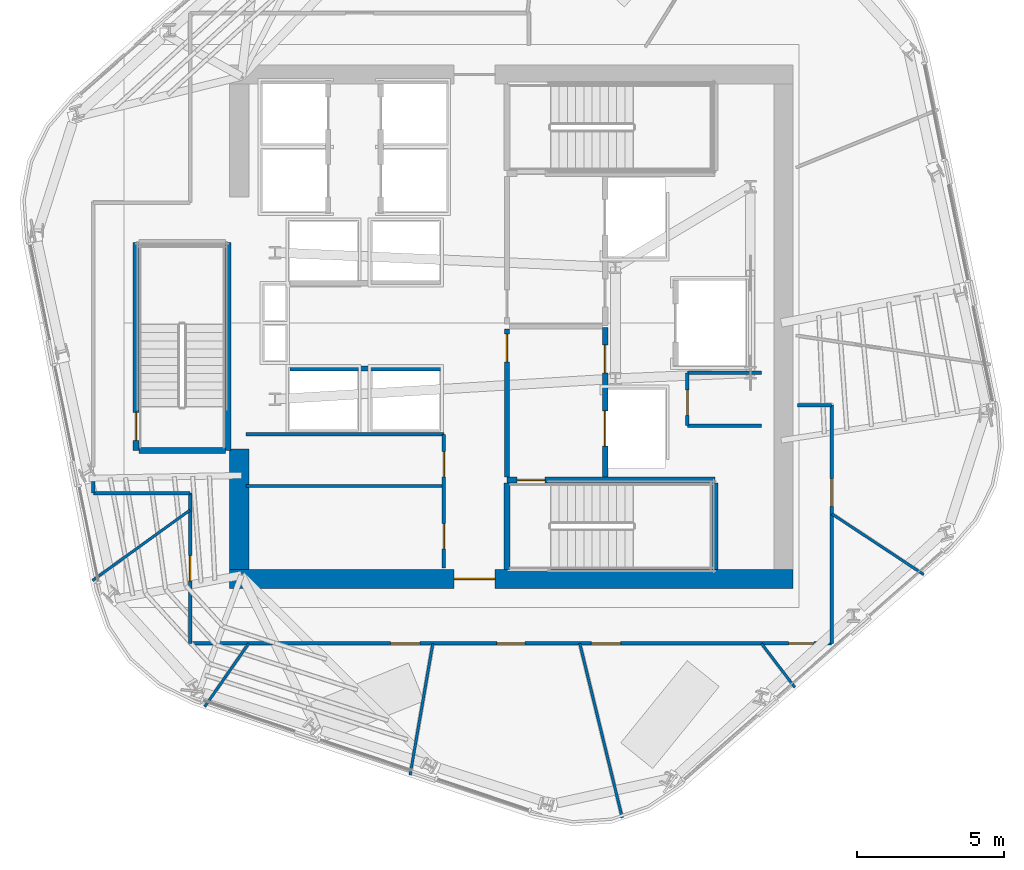
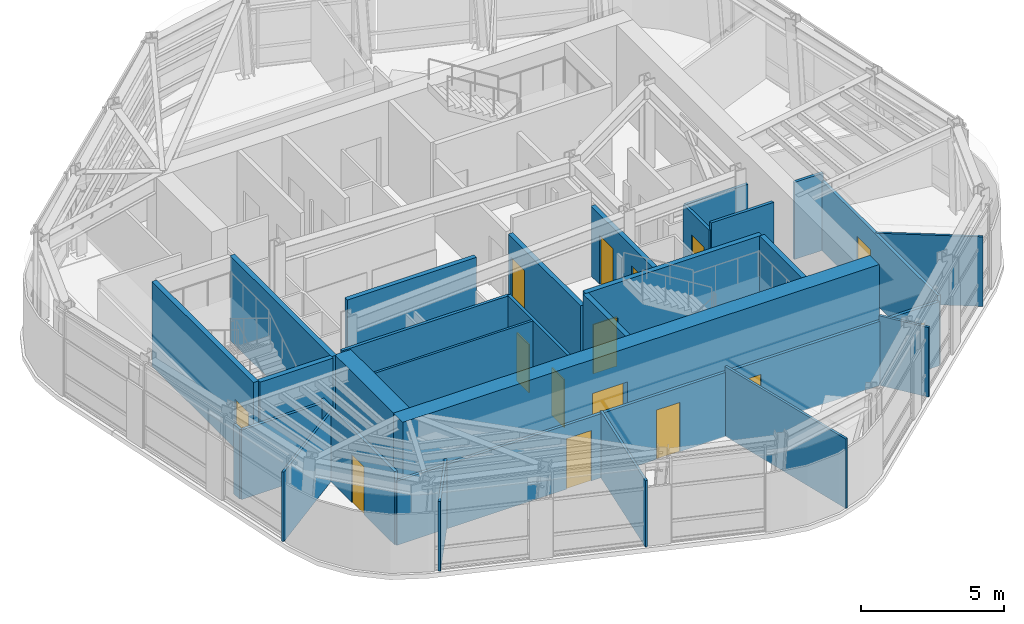
# One storey, part 8 of 15: 29 walls, 15 doors, 15 openings.
"""IFC4 building model written with IfcOpenShell, lengths in metres."""

from ifc_helpers import new_model, si_unit, direction, frame, frame_2d, origin, place, context, subcontext, project, spatial, rectangle, extrude, material, layer, layer_set, type_object, element, fill, save


model = new_model("IFC4")

# Units and contexts
model_context = context("Model", 3, precision=1e-05, world=origin(), true_north=direction((0.0, 1.0)))
body_context = subcontext(model_context, "Body", "Model", "MODEL_VIEW")
ifc_project = project(units=[si_unit("LENGTHUNIT", "METRE"), si_unit("AREAUNIT", "SQUARE_METRE"), si_unit("VOLUMEUNIT", "CUBIC_METRE"), si_unit("PLANEANGLEUNIT", "RADIAN"), si_unit("MASSUNIT", "GRAM", prefix="KILO")], contexts=[model_context])

# Site, building, storey
site_placement = place(None, origin())
site = spatial("IfcSite", under=ifc_project, at=site_placement, CompositionType="ELEMENT")
building_placement = place(site_placement, origin())
building = spatial("IfcBuilding", under=site, at=building_placement, Name="Valkerne Bourse Tower", CompositionType="ELEMENT")
storey_placement = place(building_placement, frame((0.0, 0.0, 201.800048828125)))
storey = spatial("IfcBuildingStorey", under=building, at=storey_placement, Name="L51", CompositionType="ELEMENT", Elevation=201.800048828125)

# Wall, opening, door
ifc_material_1 = material(Name="Concrete C55/67", Category="concrete")
ifc_layer_1 = layer(ifc_material_1, 0.64990234375)
ifc_layer_set_1 = layer_set([ifc_layer_1], Name="Concrete C55/67")
wall_type_1 = type_object("IfcWallType", Name="W-CORE-650", PredefinedType="SHEAR", material=ifc_layer_set_1)
wall_1_placement = place(storey_placement, frame((37.199951171875, 18.27490234375, 0.0), z_axis=(0.0, 0.0, 1.0), x_axis=(1.0, 0.0, 0.0)))
wall_1 = element("IfcWall", 1, at=wall_1_placement, inside=storey, type_object=wall_type_1, Name="L51 Core Shear Wall SOUTH", PredefinedType="SHEAR", context=body_context, shape_type="SweptSolid", body=[
    extrude(rectangle(XDim=19.199951171875, YDim=0.64990234375, at=frame_2d((9.60009765625, 0.0))), origin(), (0.0, 0.0, 1.0), 3.599853515625),
])
opening_1_placement = place(wall_1_placement, frame((7.64990234375, 0.0, 0.0)))
opening_1 = element("IfcOpeningElement", 2, at=opening_1_placement, cuts=wall_1, Name="Opening D-PL-1400", PredefinedType="OPENING", context=body_context, shape_type="SweptSolid", body=[
    extrude(rectangle(XDim=1.39990234375, YDim=2.14990234375, at=frame_2d((0.699951171875, 1.074951171875))), frame((0.0, 0.3349609375, 0.0), z_axis=(0.0, -1.0, 0.0), x_axis=(1.0, 0.0, 0.0)), (0.0, 0.0, 1.0), 0.669921875),
])
ifc_material_2 = material(Name="Galvanised Painted Steel", Category="steel")
door_type_1 = type_object("IfcDoorType", Name="DR-PLT-1400", OperationType="DOUBLE_DOOR_SINGLE_SWING", PredefinedType="DOOR", material=ifc_material_2)
door_1_placement = place(opening_1_placement, origin())
door_1 = element("IfcDoor", 3, at=door_1_placement, inside=storey, type_object=door_type_1, Name="L51 South Passenger Lift Hall Fire Door", OperationType="DOUBLE_DOOR_SINGLE_SWING", OverallHeight=2.14990234375, OverallWidth=1.39990234375, PredefinedType="DOOR", context=body_context, shape_type="SweptSolid", body=[
    extrude(rectangle(XDim=1.39990234375, YDim=2.14990234375, at=frame_2d((0.699951171875, 1.074951171875))), frame((0.0, 0.02490234375, 0.0), z_axis=(0.0, -1.0, 0.0), x_axis=(1.0, 0.0, 0.0)), (0.0, 0.0, 1.0), 0.050048828125),
])
fill(opening_1, door_1)

# Wall
wall_2_placement = place(storey_placement, frame((37.52490234375, 18.60009765625, 0.0), z_axis=(0.0, 0.0, 1.0), x_axis=(0.0, 1.0, 0.0)))
element("IfcWall", 4, at=wall_2_placement, inside=storey, type_object=wall_type_1, Name="L51 Core Shear Wall WEST-S", PredefinedType="SHEAR", context=body_context, shape_type="SweptSolid", body=[
    extrude(rectangle(XDim=4.099853515625, YDim=0.64990234375, at=frame_2d((2.0498046875, 0.0))), origin(), (0.0, 0.0, 1.0), 3.599853515625),
])

# Wall, openings, doors
ifc_material_3 = material(Name="Gypsum Board Steel-Stud Partition", Category="steel")
ifc_layer_2 = layer(ifc_material_3, 0.117919921875)
ifc_layer_set_2 = layer_set([ifc_layer_2], Name="Gypsum Board Steel-Stud Partition")
wall_type_2 = type_object("IfcWallType", Name="W-CORR-140", PredefinedType="PARTITIONING", material=ifc_layer_set_2)
wall_3_placement = place(storey_placement, frame((44.5, 18.64990234375, 0.0), z_axis=(0.0, 0.0, 1.0), x_axis=(0.0, 1.0, 0.0)))
wall_3 = element("IfcWall", 5, at=wall_3_placement, inside=storey, type_object=wall_type_2, Name="L51 LV7 Low-Bank East Wall", PredefinedType="PARTITIONING", context=body_context, shape_type="SweptSolid", body=[
    extrude(rectangle(XDim=4.550048828125, YDim=0.117919921875, at=frame_2d((2.27490234375, 0.0))), origin(), (0.0, 0.0, 1.0), 3.300048828125),
])
opening_2_placement = place(wall_3_placement, frame((0.64990234375, 0.0, 0.0)))
opening_2 = element("IfcOpeningElement", 6, at=opening_2_placement, cuts=wall_3, Name="Opening D-WC-900", PredefinedType="OPENING", context=body_context, shape_type="SweptSolid", body=[
    extrude(rectangle(XDim=0.860107421875, YDim=2.050048828125, at=frame_2d((0.43017578125, 1.02490234375))), frame((0.0, 0.06884765625, 0.0), z_axis=(0.0, -1.0, 0.0), x_axis=(1.0, 0.0, 0.0)), (0.0, 0.0, 1.0), 0.137939453125),
])
opening_3_placement = place(wall_3_placement, frame((3.10009765625, 0.0, 0.0)))
opening_3 = element("IfcOpeningElement", 7, at=opening_3_placement, cuts=wall_3, Name="Opening D-WC-900", PredefinedType="OPENING", context=body_context, shape_type="SweptSolid", body=[
    extrude(rectangle(XDim=0.860107421875, YDim=2.050048828125, at=frame_2d((0.43017578125, 1.02490234375))), frame((0.0, 0.06884765625, 0.0), z_axis=(0.0, -1.0, 0.0), x_axis=(1.0, 0.0, 0.0)), (0.0, 0.0, 1.0), 0.137939453125),
])
ifc_material_4 = material(Name="Architectural White Oak Timber", Category="wood")
door_type_2 = type_object("IfcDoorType", Name="DR-WC-900", OperationType="NOTDEFINED", PredefinedType="DOOR", material=ifc_material_4)
door_2_placement = place(opening_2_placement, origin())
door_2 = element("IfcDoor", 8, at=door_2_placement, inside=storey, type_object=door_type_2, Name="L51 Reprographics Office Door", OperationType="SINGLE_SWING_RIGHT", OverallHeight=2.050048828125, OverallWidth=0.860107421875, PredefinedType="DOOR", context=body_context, shape_type="SweptSolid", body=[
    extrude(rectangle(XDim=0.860107421875, YDim=2.050048828125, at=frame_2d((0.43017578125, 1.02490234375))), frame((0.0, 0.02490234375, 0.0), z_axis=(0.0, -1.0, 0.0), x_axis=(1.0, 0.0, 0.0)), (0.0, 0.0, 1.0), 0.050048828125),
])
fill(opening_2, door_2)
door_3_placement = place(opening_3_placement, origin())
door_3 = element("IfcDoor", 9, at=door_3_placement, inside=storey, type_object=door_type_2, Name="L51 First Aid Clinic Door", OperationType="SINGLE_SWING_RIGHT", OverallHeight=2.050048828125, OverallWidth=0.860107421875, PredefinedType="DOOR", context=body_context, shape_type="SweptSolid", body=[
    extrude(rectangle(XDim=0.860107421875, YDim=2.050048828125, at=frame_2d((0.43017578125, 1.02490234375))), frame((0.0, 0.02490234375, 0.0), z_axis=(0.0, -1.0, 0.0), x_axis=(1.0, 0.0, 0.0)), (0.0, 0.0, 1.0), 0.050048828125),
])
fill(opening_3, door_3)

# Wall
wall_4_placement = place(storey_placement, frame((37.75, 23.199951171875, 0.0), z_axis=(0.0, 0.0, 1.0), x_axis=(1.0, 0.0, 0.0)))
element("IfcWall", 10, at=wall_4_placement, inside=storey, type_object=wall_type_2, Name="L51 LV7 Low-Bank North Wall", PredefinedType="PARTITIONING", context=body_context, shape_type="SweptSolid", body=[
    extrude(rectangle(XDim=6.75, YDim=0.117919921875, at=frame_2d((3.375, 0.0))), origin(), (0.0, 0.0, 1.0), 3.300048828125),
])

# Wall, opening, door
wall_5_placement = place(storey_placement, frame((52.800048828125, 23.5, 0.0), z_axis=(0.0, 0.0, 1.0), x_axis=(0.0, 1.0, 0.0)))
wall_5 = element("IfcWall", 11, at=wall_5_placement, inside=storey, type_object=wall_type_2, Name="L51 Core SE North-Bay West Wall", PredefinedType="PARTITIONING", context=body_context, shape_type="SweptSolid", body=[
    extrude(rectangle(XDim=1.800048828125, YDim=0.117919921875, at=frame_2d((0.89990234375, 0.0))), origin(), (0.0, 0.0, 1.0), 2.97802734375),
])
opening_4_placement = place(wall_5_placement, frame((0.35009765625, 0.0, 0.0)))
opening_4 = element("IfcOpeningElement", 12, at=opening_4_placement, cuts=wall_5, Name="Opening D-WC-900", PredefinedType="OPENING", context=body_context, shape_type="SweptSolid", body=[
    extrude(rectangle(XDim=0.860107421875, YDim=2.050048828125, at=frame_2d((0.43017578125, 1.02490234375))), frame((0.0, 0.06884765625, 0.0), z_axis=(0.0, -1.0, 0.0), x_axis=(1.0, 0.0, 0.0)), (0.0, 0.0, 1.0), 0.137939453125),
])
door_4_placement = place(opening_4_placement, origin())
door_4 = element("IfcDoor", 13, at=door_4_placement, inside=storey, type_object=door_type_2, Name="L51 Telecom Closet Door", OperationType="SINGLE_SWING_LEFT", OverallHeight=2.050048828125, OverallWidth=0.860107421875, PredefinedType="DOOR", context=body_context, shape_type="SweptSolid", body=[
    extrude(rectangle(XDim=0.860107421875, YDim=2.050048828125, at=frame_2d((0.43017578125, 1.02490234375))), frame((0.0, 0.02490234375, 0.0), z_axis=(0.0, -1.0, 0.0), x_axis=(1.0, 0.0, 0.0)), (0.0, 0.0, 1.0), 0.050048828125),
])
fill(opening_4, door_4)

# Walls
wall_6_placement = place(storey_placement, frame((52.800048828125, 23.5, 0.0), z_axis=(0.0, 0.0, 1.0), x_axis=(1.0, 0.0, 0.0)))
element("IfcWall", 14, at=wall_6_placement, inside=storey, type_object=wall_type_2, Name="L51 Core SE North-Bay South Wall", PredefinedType="PARTITIONING", context=body_context, shape_type="SweptSolid", body=[
    extrude(rectangle(XDim=2.52001953125, YDim=0.117919921875, at=frame_2d((1.260009765625, 0.0))), origin(), (0.0, 0.0, 1.0), 3.300048828125),
])
wall_7_placement = place(storey_placement, frame((52.800048828125, 25.300048828125, 0.0), z_axis=(0.0, 0.0, 1.0), x_axis=(1.0, 0.0, 0.0)))
element("IfcWall", 15, at=wall_7_placement, inside=storey, type_object=wall_type_2, Name="L51 Core SE North-Bay North Wall", PredefinedType="PARTITIONING", context=body_context, shape_type="SweptSolid", body=[
    extrude(rectangle(XDim=2.52001953125, YDim=0.117919921875, at=frame_2d((1.260009765625, 0.0))), origin(), (0.0, 0.0, 1.0), 2.97802734375),
])

# Wall, opening, door
wall_8_placement = place(storey_placement, frame((35.85009765625, 16.080078125, 0.0), z_axis=(0.0, 0.0, 1.0), x_axis=(0.0, 1.0, 0.0)))
wall_8 = element("IfcWall", 16, at=wall_8_placement, inside=storey, type_object=wall_type_2, Name="L51 Corridor Enclosure Wall", PredefinedType="PARTITIONING", context=body_context, shape_type="SweptSolid", body=[
    extrude(rectangle(XDim=5.119873046875, YDim=0.117919921875, at=frame_2d((2.56005859375, 0.0))), origin(), (0.0, 0.0, 1.0), 3.12744140625),
])
opening_5_placement = place(wall_8_placement, frame((2.1298828125, 0.0, 0.0)))
opening_5 = element("IfcOpeningElement", 17, at=opening_5_placement, cuts=wall_8, Name="Opening D-WC-900", PredefinedType="OPENING", context=body_context, shape_type="SweptSolid", body=[
    extrude(rectangle(XDim=0.860107421875, YDim=2.050048828125, at=frame_2d((0.43017578125, 1.02490234375))), frame((0.0, 0.06884765625, 0.0), z_axis=(0.0, -1.0, 0.0), x_axis=(1.0, 0.0, 0.0)), (0.0, 0.0, 1.0), 0.137939453125),
])
door_5_placement = place(opening_5_placement, origin())
door_5 = element("IfcDoor", 18, at=door_5_placement, inside=storey, type_object=door_type_2, Name="L51 L51 Women Restroom & Shower WC 2 Door", OperationType="SINGLE_SWING_LEFT", OverallHeight=2.050048828125, OverallWidth=0.860107421875, PredefinedType="DOOR", context=body_context, shape_type="SweptSolid", body=[
    extrude(rectangle(XDim=0.860107421875, YDim=2.050048828125, at=frame_2d((0.43017578125, 1.02490234375))), frame((0.0, 0.02490234375, 0.0), z_axis=(0.0, -1.0, 0.0), x_axis=(1.0, 0.0, 0.0)), (0.0, 0.0, 1.0), 0.050048828125),
])
fill(opening_5, door_5)

# Walls
wall_9_placement = place(storey_placement, frame((35.85009765625, 21.199951171875, 0.0), z_axis=(0.0, 0.0, 1.0), x_axis=(-1.0, 0.0, 0.0)))
element("IfcWall", 19, at=wall_9_placement, inside=storey, type_object=wall_type_2, Name="L51 Corridor Enclosure Wall", PredefinedType="PARTITIONING", context=body_context, shape_type="SweptSolid", body=[
    extrude(rectangle(XDim=3.300048828125, YDim=0.117919921875, at=frame_2d((1.64990234375, 0.0))), origin(), (0.0, 0.0, 1.0), 2.962646484375),
])
wall_10_placement = place(storey_placement, frame((32.550048828125, 21.199951171875, 0.0), z_axis=(0.0, 0.0, 1.0), x_axis=(0.0, 1.0, 0.0)))
element("IfcWall", 20, at=wall_10_placement, inside=storey, type_object=wall_type_2, Name="L51 Corridor Enclosure Wall", PredefinedType="PARTITIONING", context=body_context, shape_type="SweptSolid", body=[
    extrude(rectangle(XDim=0.399658203125, YDim=0.117919921875, at=frame_2d((0.19970703125, 0.0))), origin(), (0.0, 0.0, 1.0), 2.962646484375),
])
wall_11_placement = place(storey_placement, frame((56.56005859375, 24.199951171875, 0.0), z_axis=(0.0, 0.0, 1.0), x_axis=(1.0, 0.0, 0.0)))
element("IfcWall", 21, at=wall_11_placement, inside=storey, type_object=wall_type_2, Name="L51 Corridor Enclosure Wall", PredefinedType="PARTITIONING", context=body_context, shape_type="SweptSolid", body=[
    extrude(rectangle(XDim=1.159912109375, YDim=0.117919921875, at=frame_2d((0.580078125, 0.0))), origin(), (0.0, 0.0, 1.0), 3.280029296875),
])

# Wall, opening, door
wall_12_placement = place(storey_placement, frame((57.719970703125, 24.199951171875, 0.0), z_axis=(0.0, 0.0, 1.0), x_axis=(0.0, -1.0, 0.0)))
wall_12 = element("IfcWall", 22, at=wall_12_placement, inside=storey, type_object=wall_type_2, Name="L51 Corridor Enclosure Wall", PredefinedType="PARTITIONING", context=body_context, shape_type="SweptSolid", body=[
    extrude(rectangle(XDim=8.119873046875, YDim=0.117919921875, at=frame_2d((4.06005859375, 0.0))), origin(), (0.0, 0.0, 1.0), 2.962646484375),
])
opening_6_placement = place(wall_12_placement, frame((2.5048828125, 0.0, 0.0)))
opening_6 = element("IfcOpeningElement", 23, at=opening_6_placement, cuts=wall_12, Name="Opening D-OF-950", PredefinedType="OPENING", context=body_context, shape_type="SweptSolid", body=[
    extrude(rectangle(XDim=0.949951171875, YDim=2.10009765625, at=frame_2d((0.47509765625, 1.050048828125))), frame((0.0, 0.06884765625, 0.0), z_axis=(0.0, -1.0, 0.0), x_axis=(1.0, 0.0, 0.0)), (0.0, 0.0, 1.0), 0.137939453125),
])
door_type_3 = type_object("IfcDoorType", Name="DR-OFF-950", OperationType="NOTDEFINED", PredefinedType="DOOR", material=ifc_material_4)
door_6_placement = place(opening_6_placement, origin())
door_6 = element("IfcDoor", 24, at=door_6_placement, inside=storey, type_object=door_type_3, Name="L51 L51 Occupational Wellness Clinic 6 Door", OperationType="SINGLE_SWING_LEFT", OverallHeight=2.10009765625, OverallWidth=0.949951171875, PredefinedType="DOOR", context=body_context, shape_type="SweptSolid", body=[
    extrude(rectangle(XDim=0.949951171875, YDim=2.10009765625, at=frame_2d((0.47509765625, 1.050048828125))), frame((0.0, 0.02490234375, 0.0), z_axis=(0.0, -1.0, 0.0), x_axis=(1.0, 0.0, 0.0)), (0.0, 0.0, 1.0), 0.050048828125),
])
fill(opening_6, door_6)

# Wall, openings, doors
wall_13_placement = place(storey_placement, frame((57.719970703125, 16.080078125, 0.0), z_axis=(0.0, 0.0, 1.0), x_axis=(-1.0, 0.0, 0.0)))
wall_13 = element("IfcWall", 25, at=wall_13_placement, inside=storey, type_object=wall_type_2, Name="L51 Corridor Enclosure Wall", PredefinedType="PARTITIONING", context=body_context, shape_type="SweptSolid", body=[
    extrude(rectangle(XDim=21.869873046875, YDim=0.117919921875, at=frame_2d((10.93505859375, 0.0))), origin(), (0.0, 0.0, 1.0), 2.7314453125),
])
opening_7_placement = place(wall_13_placement, frame((0.60498046875, 0.0, 0.0)))
opening_7 = element("IfcOpeningElement", 26, at=opening_7_placement, cuts=wall_13, Name="Opening D-WC-900", PredefinedType="OPENING", context=body_context, shape_type="SweptSolid", body=[
    extrude(rectangle(XDim=0.860107421875, YDim=2.050048828125, at=frame_2d((0.43017578125, 1.02490234375))), frame((0.0, 0.06884765625, 0.0), z_axis=(0.0, -1.0, 0.0), x_axis=(1.0, 0.0, 0.0)), (0.0, 0.0, 1.0), 0.137939453125),
])
opening_8_placement = place(wall_13_placement, frame((14.034912109375, 0.0, 0.0)))
opening_8 = element("IfcOpeningElement", 27, at=opening_8_placement, cuts=wall_13, Name="Opening D-MG-1000", PredefinedType="OPENING", context=body_context, shape_type="SweptSolid", body=[
    extrude(rectangle(XDim=1.0, YDim=2.14990234375, at=frame_2d((0.5, 1.074951171875))), frame((0.0, 0.06884765625, 0.0), z_axis=(0.0, -1.0, 0.0), x_axis=(1.0, 0.0, 0.0)), (0.0, 0.0, 1.0), 0.137939453125),
])
opening_9_placement = place(wall_13_placement, frame((7.195068359375, 0.0, 0.0)))
opening_9 = element("IfcOpeningElement", 28, at=opening_9_placement, cuts=wall_13, Name="Opening D-MG-1000", PredefinedType="OPENING", context=body_context, shape_type="SweptSolid", body=[
    extrude(rectangle(XDim=1.0, YDim=2.14990234375, at=frame_2d((0.5, 1.074951171875))), frame((0.0, 0.06884765625, 0.0), z_axis=(0.0, -1.0, 0.0), x_axis=(1.0, 0.0, 0.0)), (0.0, 0.0, 1.0), 0.137939453125),
])
opening_10_placement = place(wall_13_placement, frame((10.4599609375, 0.0, 0.0)))
opening_10 = element("IfcOpeningElement", 29, at=opening_10_placement, cuts=wall_13, Name="Opening D-OF-950", PredefinedType="OPENING", context=body_context, shape_type="SweptSolid", body=[
    extrude(rectangle(XDim=0.949951171875, YDim=2.10009765625, at=frame_2d((0.47509765625, 1.050048828125))), frame((0.0, 0.06884765625, 0.0), z_axis=(0.0, -1.0, 0.0), x_axis=(1.0, 0.0, 0.0)), (0.0, 0.0, 1.0), 0.137939453125),
])
ifc_material_5 = material(Name="Laminated Tempered Safety Glass", Category="glass")
door_type_4 = type_object("IfcDoorType", Name="DR-MTG-1000", OperationType="NOTDEFINED", PredefinedType="DOOR", material=ifc_material_5)
door_7_placement = place(opening_8_placement, origin())
door_7 = element("IfcDoor", 30, at=door_7_placement, inside=storey, type_object=door_type_4, Name="L51 L51 Client Strategy Conference Room 3 Door", OperationType="SINGLE_SWING_LEFT", OverallHeight=2.14990234375, OverallWidth=1.0, PredefinedType="DOOR", context=body_context, shape_type="SweptSolid", body=[
    extrude(rectangle(XDim=1.0, YDim=2.14990234375, at=frame_2d((0.5, 1.074951171875))), frame((0.0, 0.02490234375, 0.0), z_axis=(0.0, -1.0, 0.0), x_axis=(1.0, 0.0, 0.0)), (0.0, 0.0, 1.0), 0.050048828125),
])
fill(opening_8, door_7)
door_8_placement = place(opening_9_placement, origin())
door_8 = element("IfcDoor", 31, at=door_8_placement, inside=storey, type_object=door_type_4, Name="L51 L51 Client Strategy Conference Room 4 Door", OperationType="SINGLE_SWING_LEFT", OverallHeight=2.14990234375, OverallWidth=1.0, PredefinedType="DOOR", context=body_context, shape_type="SweptSolid", body=[
    extrude(rectangle(XDim=1.0, YDim=2.14990234375, at=frame_2d((0.5, 1.074951171875))), frame((0.0, 0.02490234375, 0.0), z_axis=(0.0, -1.0, 0.0), x_axis=(1.0, 0.0, 0.0)), (0.0, 0.0, 1.0), 0.050048828125),
])
fill(opening_9, door_8)
door_9_placement = place(opening_10_placement, origin())
door_9 = element("IfcDoor", 32, at=door_9_placement, inside=storey, type_object=door_type_3, Name="L51 L51 Occupational Wellness Clinic 5 Door", OperationType="SINGLE_SWING_LEFT", OverallHeight=2.10009765625, OverallWidth=0.949951171875, PredefinedType="DOOR", context=body_context, shape_type="SweptSolid", body=[
    extrude(rectangle(XDim=0.949951171875, YDim=2.10009765625, at=frame_2d((0.47509765625, 1.050048828125))), frame((0.0, 0.02490234375, 0.0), z_axis=(0.0, -1.0, 0.0), x_axis=(1.0, 0.0, 0.0)), (0.0, 0.0, 1.0), 0.050048828125),
])
fill(opening_10, door_9)
door_10_placement = place(opening_7_placement, origin())
door_10 = element("IfcDoor", 33, at=door_10_placement, inside=storey, type_object=door_type_2, Name="L51 L51 Men Bathroom WC 1 Door", OperationType="SINGLE_SWING_LEFT", OverallHeight=2.050048828125, OverallWidth=0.860107421875, PredefinedType="DOOR", context=body_context, shape_type="SweptSolid", body=[
    extrude(rectangle(XDim=0.860107421875, YDim=2.050048828125, at=frame_2d((0.43017578125, 1.02490234375))), frame((0.0, 0.02490234375, 0.0), z_axis=(0.0, -1.0, 0.0), x_axis=(1.0, 0.0, 0.0)), (0.0, 0.0, 1.0), 0.050048828125),
])
fill(opening_7, door_10)

# Wall, opening, door
ifc_material_6 = material(Name="Gypsum Fire-Rated Shaftwall", Category="gypsum")
ifc_layer_3 = layer(ifc_material_6, 0.179931640625)
ifc_layer_set_3 = layer_set([ifc_layer_3], Name="Gypsum Fire-Rated Shaftwall")
wall_type_3 = type_object("IfcWallType", Name="W-FSAE-180", PredefinedType="PARTITIONING", material=ifc_layer_set_3)
wall_14_placement = place(storey_placement, frame((46.64990234375, 21.75, 0.0), z_axis=(0.0, 0.0, 1.0), x_axis=(0.0, 1.0, 0.0)))
wall_14 = element("IfcWall", 34, at=wall_14_placement, inside=storey, type_object=wall_type_3, Name="L51 FSAE-1 Lobby West Fire Wall", PredefinedType="PARTITIONING", context=body_context, shape_type="SweptSolid", body=[
    extrude(rectangle(XDim=5.050048828125, YDim=0.179931640625, at=frame_2d((2.52490234375, 0.0))), origin(), (0.0, 0.0, 1.0), 2.97802734375),
])
opening_11_placement = place(wall_14_placement, frame((3.919921875, 0.0, 0.0)))
opening_11 = element("IfcOpeningElement", 35, at=opening_11_placement, cuts=wall_14, Name="Opening D-FS-950", PredefinedType="OPENING", context=body_context, shape_type="SweptSolid", body=[
    extrude(rectangle(XDim=0.949951171875, YDim=2.10009765625, at=frame_2d((0.47509765625, 1.050048828125))), frame((0.0, 0.099853515625, 0.0), z_axis=(0.0, -1.0, 0.0), x_axis=(1.0, 0.0, 0.0)), (0.0, 0.0, 1.0), 0.199951171875),
])
door_type_5 = type_object("IfcDoorType", Name="DR-FSAE-950", OperationType="NOTDEFINED", PredefinedType="DOOR", material=ifc_material_2)
door_11_placement = place(opening_11_placement, origin())
door_11 = element("IfcDoor", 36, at=door_11_placement, inside=storey, type_object=door_type_5, Name="L51 FSAE-1 Hall Link Fire Door", OperationType="SINGLE_SWING_RIGHT", OverallHeight=2.10009765625, OverallWidth=0.949951171875, PredefinedType="DOOR", context=body_context, shape_type="SweptSolid", body=[
    extrude(rectangle(XDim=0.949951171875, YDim=2.10009765625, at=frame_2d((0.47509765625, 1.050048828125))), frame((0.0, 0.02490234375, 0.0), z_axis=(0.0, -1.0, 0.0), x_axis=(1.0, 0.0, 0.0)), (0.0, 0.0, 1.0), 0.050048828125),
])
fill(opening_11, door_11)

# Wall, openings, doors
wall_15_placement = place(storey_placement, frame((50.0, 21.75, 0.0), z_axis=(0.0, 0.0, 1.0), x_axis=(0.0, 1.0, 0.0)))
wall_15 = element("IfcWall", 37, at=wall_15_placement, inside=storey, type_object=wall_type_3, Name="L51 FSAE-1 Lobby & Shaft Front Wall", PredefinedType="PARTITIONING", context=body_context, shape_type="SweptSolid", body=[
    extrude(rectangle(XDim=5.090087890625, YDim=0.179931640625, at=frame_2d((2.544921875, 0.0))), origin(), (0.0, 0.0, 1.0), 2.97802734375),
])
opening_12_placement = place(wall_15_placement, frame((1.050048828125, 0.0, 0.0)))
opening_12 = element("IfcOpeningElement", 38, at=opening_12_placement, cuts=wall_15, Name="Opening LD-1200", PredefinedType="OPENING", context=body_context, shape_type="SweptSolid", body=[
    extrude(rectangle(XDim=1.199951171875, YDim=2.14990234375, at=frame_2d((0.60009765625, 1.074951171875))), frame((0.0, 0.099853515625, 0.0), z_axis=(0.0, -1.0, 0.0), x_axis=(1.0, 0.0, 0.0)), (0.0, 0.0, 1.0), 0.199951171875),
])
opening_13_placement = place(wall_15_placement, frame((3.550048828125, 0.0, 0.0)))
opening_13 = element("IfcOpeningElement", 39, at=opening_13_placement, cuts=wall_15, Name="Opening D-FS-950", PredefinedType="OPENING", context=body_context, shape_type="SweptSolid", body=[
    extrude(rectangle(XDim=0.949951171875, YDim=2.10009765625, at=frame_2d((0.47509765625, 1.050048828125))), frame((0.0, 0.099853515625, 0.0), z_axis=(0.0, -1.0, 0.0), x_axis=(1.0, 0.0, 0.0)), (0.0, 0.0, 1.0), 0.199951171875),
])
door_12_placement = place(opening_13_placement, origin())
door_12 = element("IfcDoor", 40, at=door_12_placement, inside=storey, type_object=door_type_5, Name="L51 FSAE-1 Lobby Corridor Fire Door", OperationType="SINGLE_SWING_RIGHT", OverallHeight=2.10009765625, OverallWidth=0.949951171875, PredefinedType="DOOR", context=body_context, shape_type="SweptSolid", body=[
    extrude(rectangle(XDim=0.949951171875, YDim=2.10009765625, at=frame_2d((0.47509765625, 1.050048828125))), frame((0.0, 0.02490234375, 0.0), z_axis=(0.0, -1.0, 0.0), x_axis=(1.0, 0.0, 0.0)), (0.0, 0.0, 1.0), 0.050048828125),
])
fill(opening_13, door_12)
ifc_material_7 = material(Name="Stainless Steel AISI 316", Category="steel")
door_type_6 = type_object("IfcDoorType", Name="DR-LIFT-1200", OperationType="DOUBLE_DOOR_SLIDING", PredefinedType="DOOR", material=ifc_material_7)
door_13_placement = place(opening_12_placement, origin())
door_13 = element("IfcDoor", 41, at=door_13_placement, inside=storey, type_object=door_type_6, Name="L51 FSAE-1 Firefighting Lift Landing Door", OperationType="DOUBLE_DOOR_SLIDING", OverallHeight=2.14990234375, OverallWidth=1.199951171875, PredefinedType="DOOR", context=body_context, shape_type="SweptSolid", body=[
    extrude(rectangle(XDim=1.199951171875, YDim=2.14990234375, at=frame_2d((0.60009765625, 1.074951171875))), frame((0.0, 0.02490234375, 0.0), z_axis=(0.0, -1.0, 0.0), x_axis=(1.0, 0.0, 0.0)), (0.0, 0.0, 1.0), 0.050048828125),
])
fill(opening_12, door_13)

# Walls
ifc_material_8 = material(Name="CMU Blockwork Masonry 200mm", Category="masonry")
ifc_layer_4 = layer(ifc_material_8, 0.179931640625)
ifc_layer_set_4 = layer_set([ifc_layer_4], Name="CMU Blockwork Masonry 200mm")
wall_type_4 = type_object("IfcWallType", Name="W-LFT-180", PredefinedType="SOLIDWALL", material=ifc_layer_set_4)
wall_16_placement = place(storey_placement, frame((39.25, 25.449951171875, 0.0), z_axis=(0.0, 0.0, 1.0), x_axis=(1.0, 0.0, 0.0)))
element("IfcWall", 42, at=wall_16_placement, inside=storey, type_object=wall_type_4, Name="L51 High-Zone South Cars Front Wall", PredefinedType="SOLIDWALL", context=body_context, shape_type="SweptSolid", body=[
    extrude(rectangle(XDim=5.199951171875, YDim=0.179931640625, at=frame_2d((2.60009765625, 0.0))), origin(), (0.0, 0.0, 1.0), 3.599853515625),
])
ifc_layer_5 = layer(ifc_material_3, 0.092041015625)
ifc_layer_set_5 = layer_set([ifc_layer_5], Name="Gypsum Board Steel-Stud Partition")
wall_type_5 = type_object("IfcWallType", Name="W-PART-115", PredefinedType="PARTITIONING", material=ifc_layer_set_5)
wall_17_placement = place(storey_placement, frame((37.75, 21.43994140625, 0.0), z_axis=(0.0, 0.0, 1.0), x_axis=(1.0, 0.0, 0.0)))
element("IfcWall", 43, at=wall_17_placement, inside=storey, type_object=wall_type_5, Name="L51 LV7 Low-Bank Sub-Divider", PredefinedType="PARTITIONING", context=body_context, shape_type="SweptSolid", body=[
    extrude(rectangle(XDim=6.75, YDim=0.092041015625, at=frame_2d((3.375, 0.0))), origin(), (0.0, 0.0, 1.0), 3.300048828125),
])
wall_18_placement = place(storey_placement, frame((44.122802734375, 16.074951171875, 0.0), z_axis=(0.0, 0.0, 1.0), x_axis=(-0.17018890424, -0.985411455623, 0.0)))
element("IfcWall", 44, at=wall_18_placement, inside=storey, type_object=wall_type_5, Name="L51 Suite Partition P01", PredefinedType="PARTITIONING", context=body_context, shape_type="SweptSolid", body=[
    extrude(rectangle(XDim=4.5517578125, YDim=0.092041015625, at=frame_2d((2.27587890625, 0.0))), origin(), (0.0, 0.0, 1.0), 2.8203125),
])
wall_19_placement = place(storey_placement, frame((49.13134765625, 16.074951171875, 0.0), z_axis=(0.0, 0.0, 1.0), x_axis=(0.236843968006, -0.971547700743, 0.0)))
element("IfcWall", 45, at=wall_19_placement, inside=storey, type_object=wall_type_5, Name="L51 Suite Partition P02", PredefinedType="PARTITIONING", context=body_context, shape_type="SweptSolid", body=[
    extrude(rectangle(XDim=6.110595703125, YDim=0.092041015625, at=frame_2d((3.05517578125, 0.0))), origin(), (0.0, 0.0, 1.0), 2.962646484375),
])
wall_20_placement = place(storey_placement, frame((55.327392578125, 16.074951171875, 0.0), z_axis=(0.0, 0.0, 1.0), x_axis=(0.60464515426, -0.796494970122, 0.0)))
element("IfcWall", 46, at=wall_20_placement, inside=storey, type_object=wall_type_5, Name="L51 Suite Partition P03", PredefinedType="PARTITIONING", context=body_context, shape_type="SweptSolid", body=[
    extrude(rectangle(XDim=1.879638671875, YDim=0.092041015625, at=frame_2d((0.93994140625, 0.0))), origin(), (0.0, 0.0, 1.0), 2.962646484375),
])
wall_21_placement = place(storey_placement, frame((57.72509765625, 20.4912109375, 0.0), z_axis=(0.0, 0.0, 1.0), x_axis=(0.83452502264, -0.550970041462, 0.0)))
element("IfcWall", 47, at=wall_21_placement, inside=storey, type_object=wall_type_5, Name="L51 Suite Partition P04", PredefinedType="PARTITIONING", context=body_context, shape_type="SweptSolid", body=[
    extrude(rectangle(XDim=3.75146484375, YDim=0.092041015625, at=frame_2d((1.875732421875, 0.0))), origin(), (0.0, 0.0, 1.0), 2.962646484375),
])
wall_22_placement = place(storey_placement, frame((35.844970703125, 20.6201171875, 0.0), z_axis=(0.0, 0.0, 1.0), x_axis=(-0.81062267582, -0.58556884945, 0.0)))
element("IfcWall", 48, at=wall_22_placement, inside=storey, type_object=wall_type_5, Name="L51 Suite Partition P09", PredefinedType="PARTITIONING", context=body_context, shape_type="SweptSolid", body=[
    extrude(rectangle(XDim=4.098388671875, YDim=0.092041015625, at=frame_2d((2.04931640625, 0.0))), origin(), (0.0, 0.0, 1.0), 2.962646484375),
])
wall_23_placement = place(storey_placement, frame((37.845458984375, 16.074951171875, 0.0), z_axis=(0.0, 0.0, 1.0), x_axis=(-0.570592811542, -0.821233123672, 0.0)))
element("IfcWall", 49, at=wall_23_placement, inside=storey, type_object=wall_type_5, Name="L51 Suite Partition P10", PredefinedType="PARTITIONING", context=body_context, shape_type="SweptSolid", body=[
    extrude(rectangle(XDim=2.6240234375, YDim=0.092041015625, at=frame_2d((1.31201171875, 0.0))), origin(), (0.0, 0.0, 1.0), 2.962646484375),
])

# Wall, opening, door
ifc_material_9 = material(Name="Concrete C40/50", Category="concrete")
ifc_layer_6 = layer(ifc_material_9, 0.199951171875)
ifc_layer_set_6 = layer_set([ifc_layer_6], Name="Concrete C40/50")
wall_type_6 = type_object("IfcWallType", Name="W-SHF-200", PredefinedType="SHEAR", material=ifc_layer_set_6)
wall_24_placement = place(storey_placement, frame((46.64990234375, 21.64990234375, 0.0), z_axis=(0.0, 0.0, 1.0), x_axis=(1.0, 0.0, 0.0)))
wall_24 = element("IfcWall", 50, at=wall_24_placement, inside=storey, type_object=wall_type_6, Name="L51 Exit Stair ST-1 Structural Shaft Wall North", PredefinedType="SHEAR", context=body_context, shape_type="SweptSolid", body=[
    extrude(rectangle(XDim=7.10009765625, YDim=0.199951171875, at=frame_2d((3.550048828125, 0.0))), origin(), (0.0, 0.0, 1.0), 3.599853515625),
])
opening_14_placement = place(wall_24_placement, frame((0.35009765625, 0.0, 0.0)))
opening_14 = element("IfcOpeningElement", 51, at=opening_14_placement, cuts=wall_24, Name="Opening D-ST-950", PredefinedType="OPENING", context=body_context, shape_type="SweptSolid", body=[
    extrude(rectangle(XDim=0.949951171875, YDim=2.10009765625, at=frame_2d((0.47509765625, 1.050048828125))), frame((0.0, 0.10986328125, 0.0), z_axis=(0.0, -1.0, 0.0), x_axis=(1.0, 0.0, 0.0)), (0.0, 0.0, 1.0), 0.219970703125),
])
door_type_7 = type_object("IfcDoorType", Name="DR-STAIR-950", OperationType="NOTDEFINED", PredefinedType="DOOR", material=ifc_material_2)
door_14_placement = place(opening_14_placement, origin())
door_14 = element("IfcDoor", 52, at=door_14_placement, inside=storey, type_object=door_type_7, Name="L51 Exit Stair ST-1 Door", OperationType="SINGLE_SWING_LEFT", OverallHeight=2.10009765625, OverallWidth=0.949951171875, PredefinedType="DOOR", context=body_context, shape_type="SweptSolid", body=[
    extrude(rectangle(XDim=0.949951171875, YDim=2.10009765625, at=frame_2d((0.47509765625, 1.050048828125))), frame((0.0, 0.02490234375, 0.0), z_axis=(0.0, -1.0, 0.0), x_axis=(1.0, 0.0, 0.0)), (0.0, 0.0, 1.0), 0.050048828125),
])
fill(opening_14, door_14)

# Walls
for number, where, z_axis, x_axis, name in (
    (53, (46.64990234375, 18.60009765625, 0.0), (0.0, 0.0, 1.0), (0.0, 1.0, 0.0), "L51 Exit Stair ST-1 Structural Shaft Wall West"),
    (54, (53.75, 18.60009765625, 0.0), (0.0, 0.0, 1.0), (0.0, 1.0, 0.0), "L51 Exit Stair ST-1 Structural Shaft Wall East"),
):
    element("IfcWall", number, at=place(storey_placement, frame(where, z_axis=z_axis, x_axis=x_axis)), inside=storey, type_object=wall_type_6, Name=name, PredefinedType="SHEAR", context=body_context, shape_type="SweptSolid", body=[
        extrude(rectangle(XDim=2.949951171875, YDim=0.199951171875, at=frame_2d((1.47509765625, 0.0))), origin(), (0.0, 0.0, 1.0), 3.599853515625),
    ])

# Wall, opening, door
wall_25_placement = place(storey_placement, frame((34.0, 22.64990234375, 0.0), z_axis=(0.0, 0.0, 1.0), x_axis=(0.0, 1.0, 0.0)))
wall_25 = element("IfcWall", 55, at=wall_25_placement, inside=storey, type_object=wall_type_6, Name="L51 Exit Stair ST-3 Structural Shaft Wall West", PredefinedType="SHEAR", context=body_context, shape_type="SweptSolid", body=[
    extrude(rectangle(XDim=7.10009765625, YDim=0.199951171875, at=frame_2d((3.550048828125, 0.0))), origin(), (0.0, 0.0, 1.0), 3.599853515625),
])
opening_15_placement = place(wall_25_placement, frame((0.35009765625, 0.0, 0.0)))
opening_15 = element("IfcOpeningElement", 56, at=opening_15_placement, cuts=wall_25, Name="Opening D-ST-950", PredefinedType="OPENING", context=body_context, shape_type="SweptSolid", body=[
    extrude(rectangle(XDim=0.949951171875, YDim=2.10009765625, at=frame_2d((0.47509765625, 1.050048828125))), frame((0.0, 0.10986328125, 0.0), z_axis=(0.0, -1.0, 0.0), x_axis=(1.0, 0.0, 0.0)), (0.0, 0.0, 1.0), 0.219970703125),
])
door_15_placement = place(opening_15_placement, origin())
door_15 = element("IfcDoor", 57, at=door_15_placement, inside=storey, type_object=door_type_7, Name="L51 Exit Stair ST-3 Door", OperationType="SINGLE_SWING_RIGHT", OverallHeight=2.10009765625, OverallWidth=0.949951171875, PredefinedType="DOOR", context=body_context, shape_type="SweptSolid", body=[
    extrude(rectangle(XDim=0.949951171875, YDim=2.10009765625, at=frame_2d((0.47509765625, 1.050048828125))), frame((0.0, 0.02490234375, 0.0), z_axis=(0.0, -1.0, 0.0), x_axis=(1.0, 0.0, 0.0)), (0.0, 0.0, 1.0), 0.050048828125),
])
fill(opening_15, door_15)

# Walls
wall_26_placement = place(storey_placement, frame((34.10009765625, 22.64990234375, 0.0), z_axis=(0.0, 0.0, 1.0), x_axis=(1.0, 0.0, 0.0)))
element("IfcWall", 58, at=wall_26_placement, inside=storey, type_object=wall_type_6, Name="L51 Exit Stair ST-3 Structural Shaft Wall South", PredefinedType="SHEAR", context=body_context, shape_type="SweptSolid", body=[
    extrude(rectangle(XDim=2.949951171875, YDim=0.199951171875, at=frame_2d((1.47509765625, 0.0))), origin(), (0.0, 0.0, 1.0), 3.599853515625),
])
wall_27_placement = place(storey_placement, frame((37.14990234375, 22.64990234375, 0.0), z_axis=(0.0, 0.0, 1.0), x_axis=(0.0, 1.0, 0.0)))
element("IfcWall", 59, at=wall_27_placement, inside=storey, type_object=wall_type_6, Name="L51 Exit Stair ST-3 Structural Shaft Wall East", PredefinedType="SHEAR", context=body_context, shape_type="SweptSolid", body=[
    extrude(rectangle(XDim=7.10009765625, YDim=0.199951171875, at=frame_2d((3.550048828125, 0.0))), origin(), (0.0, 0.0, 1.0), 3.599853515625),
])

save(model, "model.ifc")
